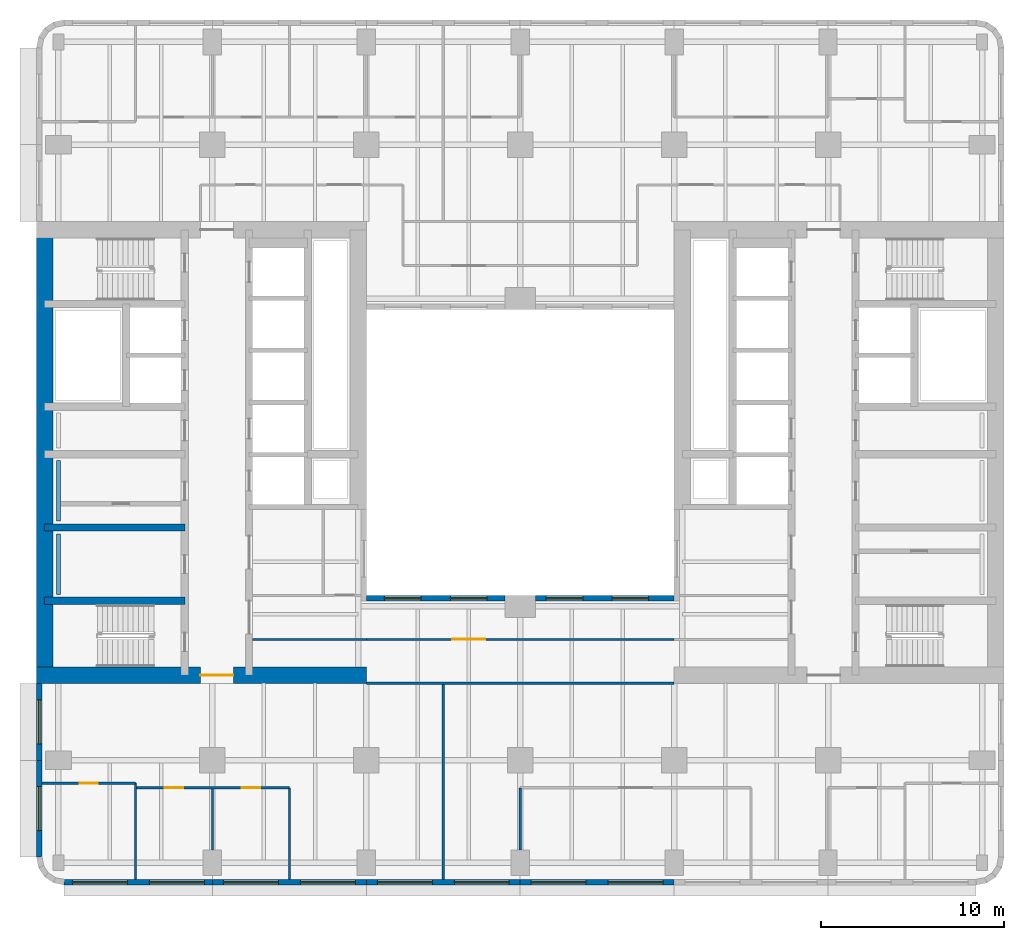
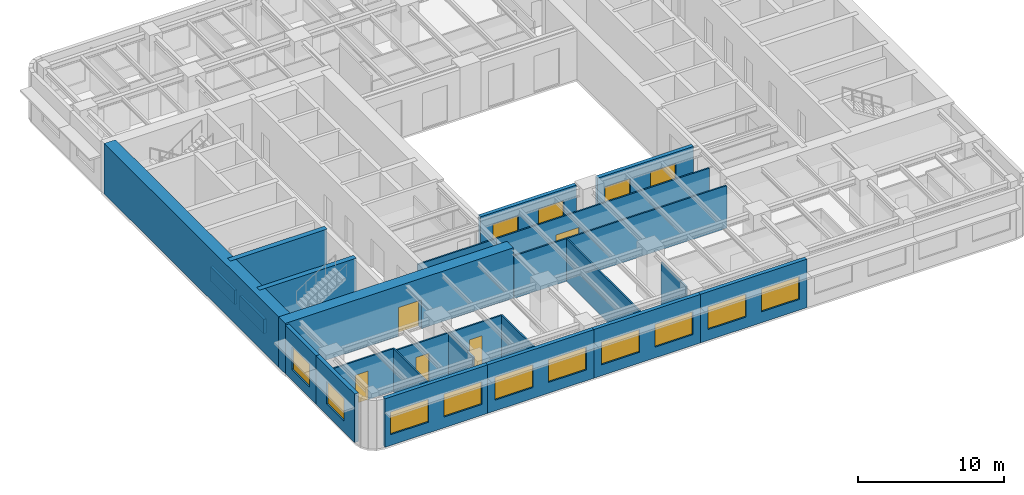
# One storey, part 3 of 11: 24 walls, 14 windows, 5 doors, 19 openings.
"""IFC4 building model written with IfcOpenShell, lengths in metres."""

import ifcopenshell
import ifcopenshell.guid

model = None  # the IFC model being written
_history = None  # IfcOwnerHistory: only IFC2X3 demands one
_inside = {}  # id of a spatial element -> (the spatial element, [elements in it])
_under = {}  # id of a project, library or spatial element -> (it, [spatial elements below it])
_declared = {}  # id of a project -> (the project, [libraries it declares])
_typed = {}  # id of a type object -> (the type object, [elements of that type])
_made_of = {}  # id of a material, layer set ... -> (it, [elements and type objects made of it])


def new_model(schema):
    """Start an empty IFC model of exactly this schema.

    Asked for "IFC4X3", IfcOpenShell would pick the latest addendum, in which some entities
    have other attributes; the version numbers below select the first issue.
    IFC2X3 requires an IfcOwnerHistory on every rooted entity: one is made here for all.
    """
    global model, _history
    if schema == "IFC4X3":
        model = ifcopenshell.file(schema_version=(4, 3, 0, 0))
    else:
        model = ifcopenshell.file(schema=schema)
    _inside.clear()
    _under.clear()
    _declared.clear()
    _typed.clear()
    _made_of.clear()
    _history = None
    if model.schema == "IFC2X3":
        org = make("IfcOrganization", Name="unknown")
        user = make(
            "IfcPersonAndOrganization",
            ThePerson=make("IfcPerson", FamilyName="unknown"),
            TheOrganization=org,
        )
        app = make(
            "IfcApplication",
            ApplicationDeveloper=org,
            Version="unknown",
            ApplicationFullName="unknown",
            ApplicationIdentifier="unknown",
        )
        _history = make(
            "IfcOwnerHistory",
            OwningUser=user,
            OwningApplication=app,
            ChangeAction="ADDED",
            CreationDate=0,
        )
    return model


def make(cls, **values):
    """One entity of the class cls with the attributes given. An attribute that is None is left unset."""
    return model.create_entity(
        cls, **{name: value for name, value in values.items() if value is not None}
    )


def rooted(cls, **values):
    """An entity with a GlobalId (a new one), such as an element, a storey or a relation."""
    return make(cls, GlobalId=ifcopenshell.guid.new(), OwnerHistory=_history, **values)


def si_unit(unit_type, name, prefix=None):
    """IfcSIUnit, for example si_unit("LENGTHUNIT", "METRE", prefix="MILLI")."""
    return make("IfcSIUnit", UnitType=unit_type, Prefix=prefix, Name=name)


def assignment(units):
    """IfcUnitAssignment: the units of a project."""
    return None if units is None else make("IfcUnitAssignment", Units=units)


def point(xyz):
    """IfcCartesianPoint."""
    return None if xyz is None else make("IfcCartesianPoint", Coordinates=xyz)


def direction(xyz):
    """IfcDirection."""
    return None if xyz is None else make("IfcDirection", DirectionRatios=xyz)


def frame(location, z_axis=None, x_axis=None):
    """IfcAxis2Placement3D, a coordinate frame: its origin and axes. An axis left out is left unset."""
    return make(
        "IfcAxis2Placement3D",
        Location=point(location),
        Axis=direction(z_axis),
        RefDirection=direction(x_axis),
    )


def frame_2d(location, x_axis=None):
    """IfcAxis2Placement2D, a coordinate frame in the plane: its origin and x axis."""
    return make(
        "IfcAxis2Placement2D", Location=point(location), RefDirection=direction(x_axis)
    )


def origin():
    """The frame at (0, 0, 0) with its axes left unset."""
    return frame((0.0, 0.0, 0.0))


def place(relative_to, where):
    """IfcLocalPlacement: puts the frame where relative to a parent placement (None: the world)."""
    return make(
        "IfcLocalPlacement", PlacementRelTo=relative_to, RelativePlacement=where
    )


def context(
    kind, dimensions, precision=None, world=None, true_north=None, identifier=None
):
    """IfcGeometricRepresentationContext, for example the 3D "Model" context."""
    return make(
        "IfcGeometricRepresentationContext",
        ContextIdentifier=identifier,
        ContextType=kind,
        CoordinateSpaceDimension=dimensions,
        Precision=precision,
        WorldCoordinateSystem=world,
        TrueNorth=true_north,
    )


def subcontext(parent, identifier, kind, view, scale=None):
    """IfcGeometricRepresentationSubContext, for example "Body" below "Model"."""
    return make(
        "IfcGeometricRepresentationSubContext",
        ContextIdentifier=identifier,
        ContextType=kind,
        ParentContext=parent,
        TargetScale=scale,
        TargetView=view,
    )


def project(units=None, contexts=None):
    """IfcProject with its units and contexts."""
    return rooted(
        "IfcProject",
        Name="project",
        RepresentationContexts=contexts,
        UnitsInContext=assignment(units),
    )


def spatial(cls, under=None, at=None, **own):
    """A site, building, storey or space (cls), placed at a placement, below another one or the project."""
    s = rooted(cls, ObjectPlacement=at, **own)
    if under is not None:
        _under.setdefault(under.id(), (under, []))[1].append(s)
    return s


def profile(cls, at=None, kind="AREA", **sizes):
    """A parametric profile (cls). Its sizes go by their IFC names, for example OverallWidth=200.0."""
    return make(cls, ProfileType=kind, Position=at, **sizes)


def rectangle(**sizes):
    """IfcRectangleProfileDef."""
    return profile("IfcRectangleProfileDef", **sizes)


def extrude(swept, where, along, depth):
    """IfcExtrudedAreaSolid: the profile swept, set in the frame where, extruded along a direction by depth."""
    return make(
        "IfcExtrudedAreaSolid",
        SweptArea=swept,
        Position=where,
        ExtrudedDirection=direction(along),
        Depth=depth,
    )


def shape(context_of_items, identifier, shape_type, items):
    """IfcShapeRepresentation: the items that make up one representation, for example the "Body"."""
    return make(
        "IfcShapeRepresentation",
        ContextOfItems=context_of_items,
        RepresentationIdentifier=identifier,
        RepresentationType=shape_type,
        Items=items,
    )


def material(Name=None, Category=None):
    """IfcMaterial."""
    return make("IfcMaterial", Name=Name, Category=Category)


def layer(
    of_material, thickness, ventilated=None, Name=None, Category=None, Priority=None
):
    """IfcMaterialLayer: one layer of a wall or slab, of a material (None: an air gap)."""
    return make(
        "IfcMaterialLayer",
        Material=of_material,
        LayerThickness=thickness,
        IsVentilated=ventilated,
        Name=Name,
        Category=Category,
        Priority=Priority,
    )


def layer_set(layers, Name=None):
    """IfcMaterialLayerSet."""
    return make("IfcMaterialLayerSet", MaterialLayers=layers, LayerSetName=Name)


def made_of(thing, what):
    """Note that an element or type object is made of a material, layer set ...; save() writes the relation."""
    if what is not None:
        _made_of.setdefault(what.id(), (what, []))[1].append(thing)
    return thing


def type_object(cls, material=None, **own):
    """A type object (cls), such as IfcWallType, which elements share."""
    return made_of(rooted(cls, **own), material)


def element(
    cls,
    number,
    at=None,
    inside=None,
    cuts=None,
    type_object=None,
    material=None,
    context=None,
    identifier="Body",
    shape_type=None,
    held_by="IfcProductDefinitionShape",
    body=None,
    shapes=None,
    **own,
):
    """One element of the class cls, such as IfcWall. Its Tag is "e" and its number.

    at: its placement. inside: the storey or other place that contains it. cuts: it is an
    opening in that element (IfcRelVoidsElement). A single representation is given by context,
    identifier, shape_type and body (its items); several are given by shapes. held_by: the class
    of the entity that holds the representations. save() writes the other relations.
    """
    e = rooted(cls, Tag="e%d" % number, ObjectPlacement=at, **own)
    if body is not None:
        shapes = [shape(context, identifier, shape_type, body)]
    if shapes is not None:
        e.Representation = make(held_by, Representations=shapes)
    if inside is not None:
        _inside.setdefault(inside.id(), (inside, []))[1].append(e)
    if cuts is not None:
        rooted(
            "IfcRelVoidsElement", RelatingBuildingElement=cuts, RelatedOpeningElement=e
        )
    if type_object is not None:
        _typed.setdefault(type_object.id(), (type_object, []))[1].append(e)
    return made_of(e, material)


def fill(opening, filler):
    """IfcRelFillsElement: the door or window that sits in an opening."""
    return rooted(
        "IfcRelFillsElement",
        RelatingOpeningElement=opening,
        RelatedBuildingElement=filler,
    )


def aggregate(whole, parts):
    """IfcRelAggregates: a whole, such as a stair, and the parts it consists of."""
    return rooted("IfcRelAggregates", RelatingObject=whole, RelatedObjects=parts)


def save(model, path):
    """Write the relations noted so far, then the file.

    IfcRelAggregates (storeys below a building ...), IfcRelContainedInSpatialStructure (elements
    in a storey), IfcRelDefinesByType, IfcRelAssociatesMaterial and IfcRelDeclares: one each for
    every whole, place, type object, material and project.
    """
    for whole, parts in _under.values():
        aggregate(whole, parts)
    for where, things in _inside.values():
        rooted(
            "IfcRelContainedInSpatialStructure",
            RelatedElements=things,
            RelatingStructure=where,
        )
    for kind, things in _typed.values():
        rooted("IfcRelDefinesByType", RelatedObjects=things, RelatingType=kind)
    for what, things in _made_of.values():
        rooted("IfcRelAssociatesMaterial", RelatedObjects=things, RelatingMaterial=what)
    for by, libraries in _declared.values():
        rooted("IfcRelDeclares", RelatingContext=by, RelatedDefinitions=libraries)
    model.write(path)


model = new_model("IFC4")

# Units and contexts
model_context = context("Model", 3, precision=1e-05, world=origin(), true_north=direction((0.0, 1.0)))
body_context = subcontext(model_context, "Body", "Model", "MODEL_VIEW")
ifc_project = project(units=[si_unit("LENGTHUNIT", "METRE"), si_unit("AREAUNIT", "SQUARE_METRE"), si_unit("VOLUMEUNIT", "CUBIC_METRE"), si_unit("PLANEANGLEUNIT", "RADIAN"), si_unit("MASSUNIT", "GRAM", prefix="KILO")], contexts=[model_context])

# Site, building, storey
site_placement = place(None, origin())
site = spatial("IfcSite", under=ifc_project, at=site_placement, CompositionType="ELEMENT")
building_placement = place(site_placement, origin())
building = spatial("IfcBuilding", under=site, at=building_placement, Name="Claustro Exchange Tower", CompositionType="ELEMENT")
storey_placement = place(building_placement, frame((0.0, 0.0, 147.0)))
storey = spatial("IfcBuildingStorey", under=building, at=storey_placement, Name="L33", CompositionType="ELEMENT", Elevation=147.0)

# Wall, opening, door
ifc_material_1 = material(Name="Laminated glass in aluminium frame", Category="aluminium")
ifc_layer_1 = layer(ifc_material_1, 0.1201171875)
ifc_layer_set_1 = layer_set([ifc_layer_1], Name="Laminated glass in aluminium frame")
wall_type_1 = type_object("IfcWallType", Name="P2 120 glazed partition", PredefinedType="PARTITIONING", material=ifc_layer_set_1)
wall_1_placement = place(storey_placement, frame((-0.902099609375, 7.14990234375, 0.0), z_axis=(0.0, 0.0, 1.0), x_axis=(1.0, 0.0, 0.0)))
wall_1 = element("IfcWall", 1, at=wall_1_placement, inside=storey, type_object=wall_type_1, Name="Partition P2 L33", PredefinedType="PARTITIONING", context=body_context, shape_type="SweptSolid", body=[
    extrude(rectangle(XDim=5.10205078125, YDim=0.1201171875, at=frame_2d((2.551025390625, 0.0))), origin(), (0.0, 0.0, 1.0), 3.56005859375),
])
opening_1_placement = place(wall_1_placement, frame((2.052001953125, 0.0, 0.0)))
opening_1 = element("IfcOpeningElement", 2, at=opening_1_placement, cuts=wall_1, Name="Opening D7", PredefinedType="OPENING", context=body_context, shape_type="SweptSolid", body=[
    extrude(rectangle(XDim=1.0, YDim=2.39990234375, at=frame_2d((0.5, 1.199951171875))), frame((0.0, 0.070068359375, 0.0), z_axis=(0.0, -1.0, 0.0), x_axis=(1.0, 0.0, 0.0)), (0.0, 0.0, 1.0), 0.14013671875),
])
ifc_material_2 = material(Name="Glass door in aluminium frame", Category="aluminium")
door_type_1 = type_object("IfcDoorType", Name="D7 1000 x 2400 glazed door", OperationType="SINGLE_SWING_LEFT", PredefinedType="DOOR", material=ifc_material_2)
door_1_placement = place(opening_1_placement, frame((1.0, 0.0, 0.0), z_axis=(0.0, 0.0, 1.0), x_axis=(-1.0, 0.0, 0.0)))
door_1 = element("IfcDoor", 3, at=door_1_placement, inside=storey, type_object=door_type_1, Name="Door D7 L33", OperationType="SINGLE_SWING_LEFT", OverallHeight=2.39990234375, OverallWidth=1.0, PredefinedType="DOOR", context=body_context, shape_type="SweptSolid", body=[
    extrude(rectangle(XDim=1.0, YDim=2.39990234375, at=frame_2d((0.5, 1.199951171875))), frame((0.0, 0.02490234375, 0.0), z_axis=(0.0, -1.0, 0.0), x_axis=(1.0, 0.0, 0.0)), (0.0, 0.0, 1.0), 0.050048828125),
])
fill(opening_1, door_1)

# Wall, openings, doors
wall_2_placement = place(storey_placement, frame((4.258056640625, 6.89990234375, 0.0), z_axis=(0.0, 0.0, 1.0), x_axis=(1.0, 0.0, 0.0)))
wall_2 = element("IfcWall", 4, at=wall_2_placement, inside=storey, type_object=wall_type_1, Name="Partition P2 L33", PredefinedType="PARTITIONING", context=body_context, shape_type="SweptSolid", body=[
    extrude(rectangle(XDim=8.342041015625, YDim=0.1201171875, at=frame_2d((4.1708984375, 0.0))), origin(), (0.0, 0.0, 1.0), 3.550048828125),
])
opening_2_placement = place(wall_2_placement, frame((1.5419921875, 0.0, 0.0)))
opening_2 = element("IfcOpeningElement", 5, at=opening_2_placement, cuts=wall_2, Name="Opening D7", PredefinedType="OPENING", context=body_context, shape_type="SweptSolid", body=[
    extrude(rectangle(XDim=1.0, YDim=2.39990234375, at=frame_2d((0.5, 1.199951171875))), frame((0.0, 0.070068359375, 0.0), z_axis=(0.0, -1.0, 0.0), x_axis=(1.0, 0.0, 0.0)), (0.0, 0.0, 1.0), 0.14013671875),
])
opening_3_placement = place(wall_2_placement, frame((5.741943359375, 0.0, 0.0)))
opening_3 = element("IfcOpeningElement", 6, at=opening_3_placement, cuts=wall_2, Name="Opening D7", PredefinedType="OPENING", context=body_context, shape_type="SweptSolid", body=[
    extrude(rectangle(XDim=1.0, YDim=2.39990234375, at=frame_2d((0.5, 1.199951171875))), frame((0.0, 0.070068359375, 0.0), z_axis=(0.0, -1.0, 0.0), x_axis=(1.0, 0.0, 0.0)), (0.0, 0.0, 1.0), 0.14013671875),
])
door_2_placement = place(opening_2_placement, frame((1.0, 0.0, 0.0), z_axis=(0.0, 0.0, 1.0), x_axis=(-1.0, 0.0, 0.0)))
door_2 = element("IfcDoor", 7, at=door_2_placement, inside=storey, type_object=door_type_1, Name="Door D7 L33", OperationType="SINGLE_SWING_RIGHT", OverallHeight=2.39990234375, OverallWidth=1.0, PredefinedType="DOOR", context=body_context, shape_type="SweptSolid", body=[
    extrude(rectangle(XDim=1.0, YDim=2.39990234375, at=frame_2d((0.5, 1.199951171875))), frame((0.0, 0.02490234375, 0.0), z_axis=(0.0, -1.0, 0.0), x_axis=(1.0, 0.0, 0.0)), (0.0, 0.0, 1.0), 0.050048828125),
])
fill(opening_2, door_2)
door_3_placement = place(opening_3_placement, frame((1.0, 0.0, 0.0), z_axis=(0.0, 0.0, 1.0), x_axis=(-1.0, 0.0, 0.0)))
door_3 = element("IfcDoor", 8, at=door_3_placement, inside=storey, type_object=door_type_1, Name="Door D7 L33", OperationType="SINGLE_SWING_LEFT", OverallHeight=2.39990234375, OverallWidth=1.0, PredefinedType="DOOR", context=body_context, shape_type="SweptSolid", body=[
    extrude(rectangle(XDim=1.0, YDim=2.39990234375, at=frame_2d((0.5, 1.199951171875))), frame((0.0, 0.02490234375, 0.0), z_axis=(0.0, -1.0, 0.0), x_axis=(1.0, 0.0, 0.0)), (0.0, 0.0, 1.0), 0.050048828125),
])
fill(opening_3, door_3)

# Walls
wall_3_placement = place(storey_placement, frame((4.199951171875, 1.89794921875, 0.0), z_axis=(0.0, 0.0, 1.0), x_axis=(0.0, 1.0, 0.0)))
element("IfcWall", 9, at=wall_3_placement, inside=storey, type_object=wall_type_1, Name="Partition P2 L33", PredefinedType="PARTITIONING", context=body_context, shape_type="SweptSolid", body=[
    extrude(rectangle(XDim=5.251953125, YDim=0.1201171875, at=frame_2d((2.6259765625, 0.0))), origin(), (0.0, 0.0, 1.0), 3.56005859375),
])
wall_4_placement = place(storey_placement, frame((8.39990234375, 3.4990234375, 0.0), z_axis=(0.0, 0.0, 1.0), x_axis=(0.0, 1.0, 0.0)))
element("IfcWall", 10, at=wall_4_placement, inside=storey, type_object=wall_type_1, Name="Partition P2 L33", PredefinedType="PARTITIONING", context=body_context, shape_type="SweptSolid", body=[
    extrude(rectangle(XDim=3.343017578125, YDim=0.1201171875, at=frame_2d((1.67138671875, 0.0))), origin(), (0.0, 0.0, 1.0), 3.550048828125),
])
wall_5_placement = place(storey_placement, frame((12.60009765625, 1.89794921875, 0.0), z_axis=(0.0, 0.0, 1.0), x_axis=(0.0, 1.0, 0.0)))
element("IfcWall", 11, at=wall_5_placement, inside=storey, type_object=wall_type_1, Name="Partition P2 L33", PredefinedType="PARTITIONING", context=body_context, shape_type="SweptSolid", body=[
    extrude(rectangle(XDim=5.001953125, YDim=0.1201171875, at=frame_2d((2.5009765625, 0.0))), origin(), (0.0, 0.0, 1.0), 3.56005859375),
])
wall_6_placement = place(storey_placement, frame((25.199951171875, 3.4990234375, 0.0), z_axis=(0.0, 0.0, 1.0), x_axis=(0.0, 1.0, 0.0)))
element("IfcWall", 12, at=wall_6_placement, inside=storey, type_object=wall_type_1, Name="Partition P2 L33", PredefinedType="PARTITIONING", context=body_context, shape_type="SweptSolid", body=[
    extrude(rectangle(XDim=3.40087890625, YDim=0.1201171875, at=frame_2d((1.700439453125, 0.0))), origin(), (0.0, 0.0, 1.0), 3.550048828125),
])
wall_7_placement = place(storey_placement, frame((21.0, 1.89794921875, 0.0), z_axis=(0.0, 0.0, 1.0), x_axis=(0.0, 1.0, 0.0)))
element("IfcWall", 13, at=wall_7_placement, inside=storey, type_object=wall_type_1, Name="Partition P2 L33", PredefinedType="PARTITIONING", context=body_context, shape_type="SweptSolid", body=[
    extrude(rectangle(XDim=10.64404296875, YDim=0.1201171875, at=frame_2d((5.322021484375, 0.0))), origin(), (0.0, 0.0, 1.0), 3.550048828125),
])
wall_8_placement = place(storey_placement, frame((10.597900390625, 15.0, 0.0), z_axis=(0.0, 0.0, 1.0), x_axis=(1.0, 0.0, 0.0)))
element("IfcWall", 14, at=wall_8_placement, inside=storey, type_object=wall_type_1, Name="Partition P2 L33", PredefinedType="PARTITIONING", context=body_context, shape_type="SweptSolid", body=[
    extrude(rectangle(XDim=6.2041015625, YDim=0.1201171875, at=frame_2d((3.10205078125, 0.0))), origin(), (0.0, 0.0, 1.0), 3.550048828125),
])

# Wall, opening, door
wall_9_placement = place(storey_placement, frame((16.798095703125, 15.0, 0.0), z_axis=(0.0, 0.0, 1.0), x_axis=(1.0, 0.0, 0.0)))
wall_9 = element("IfcWall", 15, at=wall_9_placement, inside=storey, type_object=wall_type_1, Name="Partition P2 L33", PredefinedType="PARTITIONING", context=body_context, shape_type="SweptSolid", body=[
    extrude(rectangle(XDim=16.803955078125, YDim=0.1201171875, at=frame_2d((8.40185546875, 0.0))), origin(), (0.0, 0.0, 1.0), 3.550048828125),
])
opening_4_placement = place(wall_9_placement, frame((4.701904296875, 0.0, 0.0)))
opening_4 = element("IfcOpeningElement", 16, at=opening_4_placement, cuts=wall_9, Name="Opening D2", PredefinedType="OPENING", context=body_context, shape_type="SweptSolid", body=[
    extrude(rectangle(XDim=1.800048828125, YDim=2.199951171875, at=frame_2d((0.89990234375, 1.10009765625))), frame((0.0, 0.070068359375, 0.0), z_axis=(0.0, -1.0, 0.0), x_axis=(1.0, 0.0, 0.0)), (0.0, 0.0, 1.0), 0.14013671875),
])
ifc_material_3 = material(Name="Timber door, oak veneer", Category="wood")
door_type_2 = type_object("IfcDoorType", Name="D2 1800 x 2200 double door", OperationType="DOUBLE_DOOR_SINGLE_SWING", PredefinedType="DOOR", material=ifc_material_3)
door_4_placement = place(opening_4_placement, frame((1.800048828125, 0.0, 0.0), z_axis=(0.0, 0.0, 1.0), x_axis=(-1.0, 0.0, 0.0)))
door_4 = element("IfcDoor", 17, at=door_4_placement, inside=storey, type_object=door_type_2, Name="Double door D2 L33", OperationType="DOUBLE_DOOR_SINGLE_SWING", OverallHeight=2.199951171875, OverallWidth=1.800048828125, PredefinedType="DOOR", context=body_context, shape_type="SweptSolid", body=[
    extrude(rectangle(XDim=1.800048828125, YDim=2.199951171875, at=frame_2d((0.89990234375, 1.10009765625))), frame((0.0, 0.02490234375, 0.0), z_axis=(0.0, -1.0, 0.0), x_axis=(1.0, 0.0, 0.0)), (0.0, 0.0, 1.0), 0.050048828125),
])
fill(opening_4, door_4)

# Wall
wall_10_placement = place(storey_placement, frame((16.800048828125, 12.60009765625, 0.0), z_axis=(0.0, 0.0, 1.0), x_axis=(1.0, 0.0, 0.0)))
element("IfcWall", 18, at=wall_10_placement, inside=storey, type_object=wall_type_1, Name="Partition P2 L33", PredefinedType="PARTITIONING", context=body_context, shape_type="SweptSolid", body=[
    extrude(rectangle(XDim=16.800048828125, YDim=0.1201171875, at=frame_2d((8.39990234375, 0.0))), origin(), (0.0, 0.0, 1.0), 3.550048828125),
])

# Wall, openings, windows
ifc_material_4 = material(Name="Concrete HA-40 (C40/50), precast, white cement, acid-etched", Category="concrete")
ifc_layer_2 = layer(ifc_material_4, 0.300048828125)
ifc_layer_set_2 = layer_set([ifc_layer_2], Name="Concrete HA-40 (C40/50), precast, white cement, acid-etched")
wall_type_2 = type_object("IfcWallType", Name="PC1 300 precast concrete pier panel", PredefinedType="SOLIDWALL", material=ifc_layer_set_2)
wall_11_placement = place(storey_placement, frame((33.60009765625, 1.75, 0.0), z_axis=(0.0, 0.0, 1.0), x_axis=(-1.0, 0.0, 0.0)))
wall_11 = element("IfcWall", 19, at=wall_11_placement, inside=storey, type_object=wall_type_2, Name="Precast pier panel PC1 L33", PredefinedType="SOLIDWALL", context=body_context, shape_type="SweptSolid", body=[
    extrude(rectangle(XDim=8.400146484375, YDim=0.300048828125, at=frame_2d((4.2001953125, 0.0))), origin(), (0.0, 0.0, 1.0), 4.050048828125),
])
opening_5_placement = place(wall_11_placement, frame((0.60009765625, 0.0, 0.89990234375)))
opening_5 = element("IfcOpeningElement", 20, at=opening_5_placement, cuts=wall_11, Name="Opening W1", PredefinedType="OPENING", context=body_context, shape_type="SweptSolid", body=[
    extrude(rectangle(XDim=3.0, YDim=1.89990234375, at=frame_2d((1.5, 0.949951171875))), frame((0.0, 0.159912109375, 0.0), z_axis=(0.0, -1.0, 0.0), x_axis=(1.0, 0.0, 0.0)), (0.0, 0.0, 1.0), 0.320068359375),
])
opening_6_placement = place(wall_11_placement, frame((4.800048828125, 0.0, 0.89990234375)))
opening_6 = element("IfcOpeningElement", 21, at=opening_6_placement, cuts=wall_11, Name="Opening W1", PredefinedType="OPENING", context=body_context, shape_type="SweptSolid", body=[
    extrude(rectangle(XDim=3.0, YDim=1.89990234375, at=frame_2d((1.5, 0.949951171875))), frame((0.0, 0.159912109375, 0.0), z_axis=(0.0, -1.0, 0.0), x_axis=(1.0, 0.0, 0.0)), (0.0, 0.0, 1.0), 0.320068359375),
])
ifc_material_5 = material(Name="Aluminium frame, clear double glazing", Category="aluminium")
window_type_1 = type_object("IfcWindowType", Name="W1 3000 x 1900 window", PartitioningType="SINGLE_PANEL", PredefinedType="WINDOW", material=ifc_material_5)
window_1_placement = place(opening_5_placement, origin())
window_1 = element("IfcWindow", 22, at=window_1_placement, inside=storey, type_object=window_type_1, Name="Window W1 L33", OverallHeight=1.89990234375, OverallWidth=3.0, PartitioningType="SINGLE_PANEL", PredefinedType="WINDOW", context=body_context, shape_type="SweptSolid", body=[
    extrude(rectangle(XDim=3.0, YDim=1.89990234375, at=frame_2d((1.5, 0.949951171875))), frame((0.0, 0.030029296875, 0.0), z_axis=(0.0, -1.0, 0.0), x_axis=(1.0, 0.0, 0.0)), (0.0, 0.0, 1.0), 0.06005859375),
])
fill(opening_5, window_1)
window_2_placement = place(opening_6_placement, origin())
window_2 = element("IfcWindow", 23, at=window_2_placement, inside=storey, type_object=window_type_1, Name="Window W1 L33", OverallHeight=1.89990234375, OverallWidth=3.0, PartitioningType="SINGLE_PANEL", PredefinedType="WINDOW", context=body_context, shape_type="SweptSolid", body=[
    extrude(rectangle(XDim=3.0, YDim=1.89990234375, at=frame_2d((1.5, 0.949951171875))), frame((0.0, 0.030029296875, 0.0), z_axis=(0.0, -1.0, 0.0), x_axis=(1.0, 0.0, 0.0)), (0.0, 0.0, 1.0), 0.06005859375),
])
fill(opening_6, window_2)

wall_12_placement = place(storey_placement, frame((25.199951171875, 1.75, 0.0), z_axis=(0.0, 0.0, 1.0), x_axis=(-1.0, 0.0, 0.0)))
wall_12 = element("IfcWall", 24, at=wall_12_placement, inside=storey, type_object=wall_type_2, Name="Precast pier panel PC1 L33", PredefinedType="SOLIDWALL", context=body_context, shape_type="SweptSolid", body=[
    extrude(rectangle(XDim=8.39990234375, YDim=0.300048828125, at=frame_2d((4.199951171875, 0.0))), origin(), (0.0, 0.0, 1.0), 4.050048828125),
])
opening_7_placement = place(wall_12_placement, frame((0.60009765625, 0.0, 0.89990234375)))
opening_7 = element("IfcOpeningElement", 25, at=opening_7_placement, cuts=wall_12, Name="Opening W1", PredefinedType="OPENING", context=body_context, shape_type="SweptSolid", body=[
    extrude(rectangle(XDim=3.0, YDim=1.89990234375, at=frame_2d((1.5, 0.949951171875))), frame((0.0, 0.159912109375, 0.0), z_axis=(0.0, -1.0, 0.0), x_axis=(1.0, 0.0, 0.0)), (0.0, 0.0, 1.0), 0.320068359375),
])
opening_8_placement = place(wall_12_placement, frame((4.800048828125, 0.0, 0.89990234375)))
opening_8 = element("IfcOpeningElement", 26, at=opening_8_placement, cuts=wall_12, Name="Opening W1", PredefinedType="OPENING", context=body_context, shape_type="SweptSolid", body=[
    extrude(rectangle(XDim=3.0, YDim=1.89990234375, at=frame_2d((1.5, 0.949951171875))), frame((0.0, 0.159912109375, 0.0), z_axis=(0.0, -1.0, 0.0), x_axis=(1.0, 0.0, 0.0)), (0.0, 0.0, 1.0), 0.320068359375),
])
window_3_placement = place(opening_7_placement, origin())
window_3 = element("IfcWindow", 27, at=window_3_placement, inside=storey, type_object=window_type_1, Name="Window W1 L33", OverallHeight=1.89990234375, OverallWidth=3.0, PartitioningType="SINGLE_PANEL", PredefinedType="WINDOW", context=body_context, shape_type="SweptSolid", body=[
    extrude(rectangle(XDim=3.0, YDim=1.89990234375, at=frame_2d((1.5, 0.949951171875))), frame((0.0, 0.030029296875, 0.0), z_axis=(0.0, -1.0, 0.0), x_axis=(1.0, 0.0, 0.0)), (0.0, 0.0, 1.0), 0.06005859375),
])
fill(opening_7, window_3)
window_4_placement = place(opening_8_placement, origin())
window_4 = element("IfcWindow", 28, at=window_4_placement, inside=storey, type_object=window_type_1, Name="Window W1 L33", OverallHeight=1.89990234375, OverallWidth=3.0, PartitioningType="SINGLE_PANEL", PredefinedType="WINDOW", context=body_context, shape_type="SweptSolid", body=[
    extrude(rectangle(XDim=3.0, YDim=1.89990234375, at=frame_2d((1.5, 0.949951171875))), frame((0.0, 0.030029296875, 0.0), z_axis=(0.0, -1.0, 0.0), x_axis=(1.0, 0.0, 0.0)), (0.0, 0.0, 1.0), 0.06005859375),
])
fill(opening_8, window_4)

wall_13_placement = place(storey_placement, frame((16.800048828125, 1.75, 0.0), z_axis=(0.0, 0.0, 1.0), x_axis=(-1.0, 0.0, 0.0)))
wall_13 = element("IfcWall", 29, at=wall_13_placement, inside=storey, type_object=wall_type_2, Name="Precast pier panel PC1 L33", PredefinedType="SOLIDWALL", context=body_context, shape_type="SweptSolid", body=[
    extrude(rectangle(XDim=8.400146484375, YDim=0.300048828125, at=frame_2d((4.2001953125, 0.0))), origin(), (0.0, 0.0, 1.0), 4.050048828125),
])
opening_9_placement = place(wall_13_placement, frame((0.60009765625, 0.0, 0.89990234375)))
opening_9 = element("IfcOpeningElement", 30, at=opening_9_placement, cuts=wall_13, Name="Opening W1", PredefinedType="OPENING", context=body_context, shape_type="SweptSolid", body=[
    extrude(rectangle(XDim=3.0, YDim=1.89990234375, at=frame_2d((1.5, 0.949951171875))), frame((0.0, 0.159912109375, 0.0), z_axis=(0.0, -1.0, 0.0), x_axis=(1.0, 0.0, 0.0)), (0.0, 0.0, 1.0), 0.320068359375),
])
opening_10_placement = place(wall_13_placement, frame((4.800048828125, 0.0, 0.89990234375)))
opening_10 = element("IfcOpeningElement", 31, at=opening_10_placement, cuts=wall_13, Name="Opening W1", PredefinedType="OPENING", context=body_context, shape_type="SweptSolid", body=[
    extrude(rectangle(XDim=3.0, YDim=1.89990234375, at=frame_2d((1.5, 0.949951171875))), frame((0.0, 0.159912109375, 0.0), z_axis=(0.0, -1.0, 0.0), x_axis=(1.0, 0.0, 0.0)), (0.0, 0.0, 1.0), 0.320068359375),
])
window_5_placement = place(opening_9_placement, origin())
window_5 = element("IfcWindow", 32, at=window_5_placement, inside=storey, type_object=window_type_1, Name="Window W1 L33", OverallHeight=1.89990234375, OverallWidth=3.0, PartitioningType="SINGLE_PANEL", PredefinedType="WINDOW", context=body_context, shape_type="SweptSolid", body=[
    extrude(rectangle(XDim=3.0, YDim=1.89990234375, at=frame_2d((1.5, 0.949951171875))), frame((0.0, 0.030029296875, 0.0), z_axis=(0.0, -1.0, 0.0), x_axis=(1.0, 0.0, 0.0)), (0.0, 0.0, 1.0), 0.06005859375),
])
fill(opening_9, window_5)
window_6_placement = place(opening_10_placement, origin())
window_6 = element("IfcWindow", 33, at=window_6_placement, inside=storey, type_object=window_type_1, Name="Window W1 L33", OverallHeight=1.89990234375, OverallWidth=3.0, PartitioningType="SINGLE_PANEL", PredefinedType="WINDOW", context=body_context, shape_type="SweptSolid", body=[
    extrude(rectangle(XDim=3.0, YDim=1.89990234375, at=frame_2d((1.5, 0.949951171875))), frame((0.0, 0.030029296875, 0.0), z_axis=(0.0, -1.0, 0.0), x_axis=(1.0, 0.0, 0.0)), (0.0, 0.0, 1.0), 0.06005859375),
])
fill(opening_10, window_6)

wall_14_placement = place(storey_placement, frame((8.39990234375, 1.75, 0.0), z_axis=(0.0, 0.0, 1.0), x_axis=(-1.0, 0.0, 0.0)))
wall_14 = element("IfcWall", 34, at=wall_14_placement, inside=storey, type_object=wall_type_2, Name="Precast pier panel PC1 L33", PredefinedType="SOLIDWALL", context=body_context, shape_type="SweptSolid", body=[
    extrude(rectangle(XDim=8.085205078125, YDim=0.300048828125, at=frame_2d((4.04248046875, 0.0))), origin(), (0.0, 0.0, 1.0), 4.050048828125),
])
opening_11_placement = place(wall_14_placement, frame((0.442626953125, 0.0, 0.89990234375)))
opening_11 = element("IfcOpeningElement", 35, at=opening_11_placement, cuts=wall_14, Name="Opening W1", PredefinedType="OPENING", context=body_context, shape_type="SweptSolid", body=[
    extrude(rectangle(XDim=3.0, YDim=1.89990234375, at=frame_2d((1.5, 0.949951171875))), frame((0.0, 0.159912109375, 0.0), z_axis=(0.0, -1.0, 0.0), x_axis=(1.0, 0.0, 0.0)), (0.0, 0.0, 1.0), 0.320068359375),
])
opening_12_placement = place(wall_14_placement, frame((4.642578125, 0.0, 0.89990234375)))
opening_12 = element("IfcOpeningElement", 36, at=opening_12_placement, cuts=wall_14, Name="Opening W1", PredefinedType="OPENING", context=body_context, shape_type="SweptSolid", body=[
    extrude(rectangle(XDim=3.0, YDim=1.89990234375, at=frame_2d((1.5, 0.949951171875))), frame((0.0, 0.159912109375, 0.0), z_axis=(0.0, -1.0, 0.0), x_axis=(1.0, 0.0, 0.0)), (0.0, 0.0, 1.0), 0.320068359375),
])
window_7_placement = place(opening_11_placement, origin())
window_7 = element("IfcWindow", 37, at=window_7_placement, inside=storey, type_object=window_type_1, Name="Window W1 L33", OverallHeight=1.89990234375, OverallWidth=3.0, PartitioningType="SINGLE_PANEL", PredefinedType="WINDOW", context=body_context, shape_type="SweptSolid", body=[
    extrude(rectangle(XDim=3.0, YDim=1.89990234375, at=frame_2d((1.5, 0.949951171875))), frame((0.0, 0.030029296875, 0.0), z_axis=(0.0, -1.0, 0.0), x_axis=(1.0, 0.0, 0.0)), (0.0, 0.0, 1.0), 0.06005859375),
])
fill(opening_11, window_7)
window_8_placement = place(opening_12_placement, origin())
window_8 = element("IfcWindow", 38, at=window_8_placement, inside=storey, type_object=window_type_1, Name="Window W1 L33", OverallHeight=1.89990234375, OverallWidth=3.0, PartitioningType="SINGLE_PANEL", PredefinedType="WINDOW", context=body_context, shape_type="SweptSolid", body=[
    extrude(rectangle(XDim=3.0, YDim=1.89990234375, at=frame_2d((1.5, 0.949951171875))), frame((0.0, 0.030029296875, 0.0), z_axis=(0.0, -1.0, 0.0), x_axis=(1.0, 0.0, 0.0)), (0.0, 0.0, 1.0), 0.06005859375),
])
fill(opening_12, window_8)

# Wall, opening, window
wall_15_placement = place(storey_placement, frame((-1.050048828125, 3.11474609375, 0.0), z_axis=(0.0, 0.0, 1.0), x_axis=(0.0, 1.0, 0.0)))
wall_15 = element("IfcWall", 39, at=wall_15_placement, inside=storey, type_object=wall_type_2, Name="Precast pier panel PC1 L33", PredefinedType="SOLIDWALL", context=body_context, shape_type="SweptSolid", body=[
    extrude(rectangle(XDim=5.28515625, YDim=0.300048828125, at=frame_2d((2.642578125, 0.0))), origin(), (0.0, 0.0, 1.0), 4.050048828125),
])
opening_13_placement = place(wall_15_placement, frame((1.442626953125, 0.0, 0.89990234375)))
opening_13 = element("IfcOpeningElement", 40, at=opening_13_placement, cuts=wall_15, Name="Opening W2", PredefinedType="OPENING", context=body_context, shape_type="SweptSolid", body=[
    extrude(rectangle(XDim=2.39990234375, YDim=1.89990234375, at=frame_2d((1.199951171875, 0.949951171875))), frame((0.0, 0.159912109375, 0.0), z_axis=(0.0, -1.0, 0.0), x_axis=(1.0, 0.0, 0.0)), (0.0, 0.0, 1.0), 0.320068359375),
])
ifc_material_6 = material(Name="Aluminium frame, clear double glazing", Category="aluminium")
window_type_2 = type_object("IfcWindowType", Name="W2 2400 x 1900 window", PartitioningType="SINGLE_PANEL", PredefinedType="WINDOW", material=ifc_material_6)
window_9_placement = place(opening_13_placement, origin())
window_9 = element("IfcWindow", 41, at=window_9_placement, inside=storey, type_object=window_type_2, Name="Window W2 L33", OverallHeight=1.89990234375, OverallWidth=2.39990234375, PartitioningType="SINGLE_PANEL", PredefinedType="WINDOW", context=body_context, shape_type="SweptSolid", body=[
    extrude(rectangle(XDim=2.39990234375, YDim=1.89990234375, at=frame_2d((1.199951171875, 0.949951171875))), frame((0.0, 0.030029296875, 0.0), z_axis=(0.0, -1.0, 0.0), x_axis=(1.0, 0.0, 0.0)), (0.0, 0.0, 1.0), 0.06005859375),
])
fill(opening_13, window_9)

wall_16_placement = place(storey_placement, frame((-1.050048828125, 8.39990234375, 0.0), z_axis=(0.0, 0.0, 1.0), x_axis=(0.0, 1.0, 0.0)))
wall_16 = element("IfcWall", 42, at=wall_16_placement, inside=storey, type_object=wall_type_2, Name="Precast pier panel PC1 L33", PredefinedType="SOLIDWALL", context=body_context, shape_type="SweptSolid", body=[
    extrude(rectangle(XDim=4.2001953125, YDim=0.300048828125, at=frame_2d((2.10009765625, 0.0))), origin(), (0.0, 0.0, 1.0), 4.050048828125),
])
opening_14_placement = place(wall_16_placement, frame((0.89990234375, 0.0, 0.89990234375)))
opening_14 = element("IfcOpeningElement", 43, at=opening_14_placement, cuts=wall_16, Name="Opening W2", PredefinedType="OPENING", context=body_context, shape_type="SweptSolid", body=[
    extrude(rectangle(XDim=2.39990234375, YDim=1.89990234375, at=frame_2d((1.199951171875, 0.949951171875))), frame((0.0, 0.159912109375, 0.0), z_axis=(0.0, -1.0, 0.0), x_axis=(1.0, 0.0, 0.0)), (0.0, 0.0, 1.0), 0.320068359375),
])
window_10_placement = place(opening_14_placement, origin())
window_10 = element("IfcWindow", 44, at=window_10_placement, inside=storey, type_object=window_type_2, Name="Window W2 L33", OverallHeight=1.89990234375, OverallWidth=2.39990234375, PartitioningType="SINGLE_PANEL", PredefinedType="WINDOW", context=body_context, shape_type="SweptSolid", body=[
    extrude(rectangle(XDim=2.39990234375, YDim=1.89990234375, at=frame_2d((1.199951171875, 0.949951171875))), frame((0.0, 0.030029296875, 0.0), z_axis=(0.0, -1.0, 0.0), x_axis=(1.0, 0.0, 0.0)), (0.0, 0.0, 1.0), 0.06005859375),
])
fill(opening_14, window_10)

# Wall, openings, windows
wall_17_placement = place(storey_placement, frame((16.800048828125, 17.25, 0.0), z_axis=(0.0, 0.0, 1.0), x_axis=(1.0, 0.0, 0.0)))
wall_17 = element("IfcWall", 45, at=wall_17_placement, inside=storey, type_object=wall_type_2, Name="Precast pier panel PC1 L33", PredefinedType="SOLIDWALL", context=body_context, shape_type="SweptSolid", body=[
    extrude(rectangle(XDim=7.574951171875, YDim=0.300048828125, at=frame_2d((3.78759765625, 0.0))), origin(), (0.0, 0.0, 1.0), 4.050048828125),
])
opening_15_placement = place(wall_17_placement, frame((0.987548828125, 0.0, 0.10009765625)))
opening_15 = element("IfcOpeningElement", 46, at=opening_15_placement, cuts=wall_17, Name="Opening W-A", PredefinedType="OPENING", context=body_context, shape_type="SweptSolid", body=[
    extrude(rectangle(XDim=2.0, YDim=3.0, at=frame_2d((1.0, 1.5))), frame((0.0, 0.159912109375, 0.0), z_axis=(0.0, -1.0, 0.0), x_axis=(1.0, 0.0, 0.0)), (0.0, 0.0, 1.0), 0.320068359375),
])
opening_16_placement = place(wall_17_placement, frame((4.58740234375, 0.0, 0.10009765625)))
opening_16 = element("IfcOpeningElement", 47, at=opening_16_placement, cuts=wall_17, Name="Opening W-A", PredefinedType="OPENING", context=body_context, shape_type="SweptSolid", body=[
    extrude(rectangle(XDim=2.0, YDim=3.0, at=frame_2d((1.0, 1.5))), frame((0.0, 0.159912109375, 0.0), z_axis=(0.0, -1.0, 0.0), x_axis=(1.0, 0.0, 0.0)), (0.0, 0.0, 1.0), 0.320068359375),
])
ifc_material_7 = material(Name="Aluminium frame, clear double glazing", Category="aluminium")
window_type_3 = type_object("IfcWindowType", Name="W-A 2000 x 3000 arcade window", PartitioningType="SINGLE_PANEL", PredefinedType="WINDOW", material=ifc_material_7)
window_11_placement = place(opening_15_placement, origin())
window_11 = element("IfcWindow", 48, at=window_11_placement, inside=storey, type_object=window_type_3, Name="Window W-A L33", OverallHeight=3.0, OverallWidth=2.0, PartitioningType="SINGLE_PANEL", PredefinedType="WINDOW", context=body_context, shape_type="SweptSolid", body=[
    extrude(rectangle(XDim=2.0, YDim=3.0, at=frame_2d((1.0, 1.5))), frame((0.0, 0.030029296875, 0.0), z_axis=(0.0, -1.0, 0.0), x_axis=(1.0, 0.0, 0.0)), (0.0, 0.0, 1.0), 0.06005859375),
])
fill(opening_15, window_11)
window_12_placement = place(opening_16_placement, origin())
window_12 = element("IfcWindow", 49, at=window_12_placement, inside=storey, type_object=window_type_3, Name="Window W-A L33", OverallHeight=3.0, OverallWidth=2.0, PartitioningType="SINGLE_PANEL", PredefinedType="WINDOW", context=body_context, shape_type="SweptSolid", body=[
    extrude(rectangle(XDim=2.0, YDim=3.0, at=frame_2d((1.0, 1.5))), frame((0.0, 0.030029296875, 0.0), z_axis=(0.0, -1.0, 0.0), x_axis=(1.0, 0.0, 0.0)), (0.0, 0.0, 1.0), 0.06005859375),
])
fill(opening_16, window_12)

wall_18_placement = place(storey_placement, frame((26.02490234375, 17.25, 0.0), z_axis=(0.0, 0.0, 1.0), x_axis=(1.0, 0.0, 0.0)))
wall_18 = element("IfcWall", 50, at=wall_18_placement, inside=storey, type_object=wall_type_2, Name="Precast pier panel PC1 L33", PredefinedType="SOLIDWALL", context=body_context, shape_type="SweptSolid", body=[
    extrude(rectangle(XDim=7.5751953125, YDim=0.300048828125, at=frame_2d((3.78759765625, 0.0))), origin(), (0.0, 0.0, 1.0), 4.050048828125),
])
opening_17_placement = place(wall_18_placement, frame((0.58740234375, 0.0, 0.10009765625)))
opening_17 = element("IfcOpeningElement", 51, at=opening_17_placement, cuts=wall_18, Name="Opening W-A", PredefinedType="OPENING", context=body_context, shape_type="SweptSolid", body=[
    extrude(rectangle(XDim=2.0, YDim=3.0, at=frame_2d((1.0, 1.5))), frame((0.0, 0.159912109375, 0.0), z_axis=(0.0, -1.0, 0.0), x_axis=(1.0, 0.0, 0.0)), (0.0, 0.0, 1.0), 0.320068359375),
])
opening_18_placement = place(wall_18_placement, frame((4.1875, 0.0, 0.10009765625)))
opening_18 = element("IfcOpeningElement", 52, at=opening_18_placement, cuts=wall_18, Name="Opening W-A", PredefinedType="OPENING", context=body_context, shape_type="SweptSolid", body=[
    extrude(rectangle(XDim=2.0, YDim=3.0, at=frame_2d((1.0, 1.5))), frame((0.0, 0.159912109375, 0.0), z_axis=(0.0, -1.0, 0.0), x_axis=(1.0, 0.0, 0.0)), (0.0, 0.0, 1.0), 0.320068359375),
])
window_13_placement = place(opening_17_placement, origin())
window_13 = element("IfcWindow", 53, at=window_13_placement, inside=storey, type_object=window_type_3, Name="Window W-A L33", OverallHeight=3.0, OverallWidth=2.0, PartitioningType="SINGLE_PANEL", PredefinedType="WINDOW", context=body_context, shape_type="SweptSolid", body=[
    extrude(rectangle(XDim=2.0, YDim=3.0, at=frame_2d((1.0, 1.5))), frame((0.0, 0.030029296875, 0.0), z_axis=(0.0, -1.0, 0.0), x_axis=(1.0, 0.0, 0.0)), (0.0, 0.0, 1.0), 0.06005859375),
])
fill(opening_17, window_13)
window_14_placement = place(opening_18_placement, origin())
window_14 = element("IfcWindow", 54, at=window_14_placement, inside=storey, type_object=window_type_3, Name="Window W-A L33", OverallHeight=3.0, OverallWidth=2.0, PartitioningType="SINGLE_PANEL", PredefinedType="WINDOW", context=body_context, shape_type="SweptSolid", body=[
    extrude(rectangle(XDim=2.0, YDim=3.0, at=frame_2d((1.0, 1.5))), frame((0.0, 0.030029296875, 0.0), z_axis=(0.0, -1.0, 0.0), x_axis=(1.0, 0.0, 0.0)), (0.0, 0.0, 1.0), 0.06005859375),
])
fill(opening_18, window_14)

# Walls
ifc_material_8 = material(Name="Gypsum board on steel studs, tiled", Category="steel")
ifc_layer_3 = layer(ifc_material_8, 0.199951171875)
ifc_layer_set_3 = layer_set([ifc_layer_3], Name="Gypsum board on steel studs, tiled")
wall_type_3 = type_object("IfcWallType", Name="PW1 200 WC duct wall", PredefinedType="PLUMBINGWALL", material=ifc_layer_set_3)
for number, where, z_axis, x_axis, name in (
    (55, (0.0, 17.449951171875, 0.0), (0.0, 0.0, 1.0), (0.0, 1.0, 0.0), "WC duct wall PW1 L33"),
    (56, (0.0, 21.449951171875, 0.0), (0.0, 0.0, 1.0), (0.0, 1.0, 0.0), "WC duct wall PW1 L33"),
):
    element("IfcWall", number, at=place(storey_placement, frame(where, z_axis=z_axis, x_axis=x_axis)), inside=storey, type_object=wall_type_3, Name=name, PredefinedType="PLUMBINGWALL", context=body_context, shape_type="SweptSolid", body=[
        extrude(rectangle(XDim=3.300048828125, YDim=0.199951171875, at=frame_2d((1.64990234375, 0.0))), origin(), (0.0, 0.0, 1.0), 1.199951171875),
    ])

# Wall, opening, door
ifc_material_9 = material(Name="Concrete HA-70 (C70/85)", Category="concrete")
ifc_layer_4 = layer(ifc_material_9, 0.89990234375)
ifc_layer_set_4 = layer_set([ifc_layer_4], Name="Concrete HA-70 (C70/85)")
wall_type_4 = type_object("IfcWallType", Name="SW1 900 core shear wall", PredefinedType="SHEAR", material=ifc_layer_set_4)
wall_19_placement = place(storey_placement, frame((-1.199951171875, 13.050048828125, 0.0), z_axis=(0.0, 0.0, 1.0), x_axis=(1.0, 0.0, 0.0)))
wall_19 = element("IfcWall", 57, at=wall_19_placement, inside=storey, type_object=wall_type_4, Name="Core wall SW1 W core S face L33", PredefinedType="SHEAR", context=body_context, shape_type="SweptSolid", body=[
    extrude(rectangle(XDim=18.0, YDim=0.89990234375, at=frame_2d((9.0, 0.0))), origin(), (0.0, 0.0, 1.0), 4.199951171875),
])
opening_19_placement = place(wall_19_placement, frame((8.949951171875, 0.0, 0.0)))
opening_19 = element("IfcOpeningElement", 58, at=opening_19_placement, cuts=wall_19, Name="Opening D3", PredefinedType="OPENING", context=body_context, shape_type="SweptSolid", body=[
    extrude(rectangle(XDim=1.800048828125, YDim=2.39990234375, at=frame_2d((0.89990234375, 1.199951171875))), frame((0.0, 0.4599609375, 0.0), z_axis=(0.0, -1.0, 0.0), x_axis=(1.0, 0.0, 0.0)), (0.0, 0.0, 1.0), 0.919921875),
])
ifc_material_10 = material(Name="Steel fire door, painted", Category="steel")
door_type_3 = type_object("IfcDoorType", Name="D3 1800 x 2400 fire-rated lobby double door", OperationType="DOUBLE_DOOR_SINGLE_SWING", PredefinedType="DOOR", material=ifc_material_10)
door_5_placement = place(opening_19_placement, frame((1.800048828125, 0.0, 0.0), z_axis=(0.0, 0.0, 1.0), x_axis=(-1.0, 0.0, 0.0)))
door_5 = element("IfcDoor", 59, at=door_5_placement, inside=storey, type_object=door_type_3, Name="Lift lobby door D3 L33", OperationType="DOUBLE_DOOR_SINGLE_SWING", OverallHeight=2.39990234375, OverallWidth=1.800048828125, PredefinedType="DOOR", context=body_context, shape_type="SweptSolid", body=[
    extrude(rectangle(XDim=1.800048828125, YDim=2.39990234375, at=frame_2d((0.89990234375, 1.199951171875))), frame((0.0, 0.02490234375, 0.0), z_axis=(0.0, -1.0, 0.0), x_axis=(1.0, 0.0, 0.0)), (0.0, 0.0, 1.0), 0.050048828125),
])
fill(opening_19, door_5)

# Walls
ifc_material_11 = material(Name="Concrete HA-70 (C70/85)", Category="concrete")
ifc_layer_5 = layer(ifc_material_11, 0.89990234375)
ifc_layer_set_5 = layer_set([ifc_layer_5], Name="Concrete HA-70 (C70/85)")
wall_type_5 = type_object("IfcWallType", Name="SW1X 900 exposed core shear wall, board-marked face", PredefinedType="SHEAR", material=ifc_layer_set_5)
wall_20_placement = place(storey_placement, frame((-0.75, 13.050048828125, 0.0), z_axis=(0.0, 0.0, 1.0), x_axis=(0.0, 1.0, 0.0)))
element("IfcWall", 60, at=wall_20_placement, inside=storey, type_object=wall_type_5, Name="Core wall SW1X W core W face L33", PredefinedType="SHEAR", context=body_context, shape_type="SweptSolid", body=[
    extrude(rectangle(XDim=24.300048828125, YDim=0.89990234375, at=frame_2d((12.14990234375, 0.0))), origin(), (0.0, 0.0, 1.0), 4.199951171875),
])
ifc_material_12 = material(Name="Concrete HA-50 (C50/60)", Category="concrete")
ifc_layer_6 = layer(ifc_material_12, 0.39990234375)
ifc_layer_set_6 = layer_set([ifc_layer_6], Name="Concrete HA-50 (C50/60)")
wall_type_6 = type_object("IfcWallType", Name="SW4 400 internal core wall", PredefinedType="SHEAR", material=ifc_layer_set_6)
for number, where, z_axis, x_axis, name in (
    (61, (-0.75, 17.10009765625, 0.0), (0.0, 0.0, 1.0), (1.0, 0.0, 0.0), "Internal core wall SW4 W core L33"),
    (62, (-0.75, 21.10009765625, 0.0), (0.0, 0.0, 1.0), (1.0, 0.0, 0.0), "Internal core wall SW4 W core L33"),
):
    element("IfcWall", number, at=place(storey_placement, frame(where, z_axis=z_axis, x_axis=x_axis)), inside=storey, type_object=wall_type_6, Name=name, PredefinedType="SHEAR", context=body_context, shape_type="SweptSolid", body=[
        extrude(rectangle(XDim=7.64990234375, YDim=0.39990234375, at=frame_2d((3.824951171875, 0.0))), origin(), (0.0, 0.0, 1.0), 4.199951171875),
    ])

save(model, "model.ifc")
